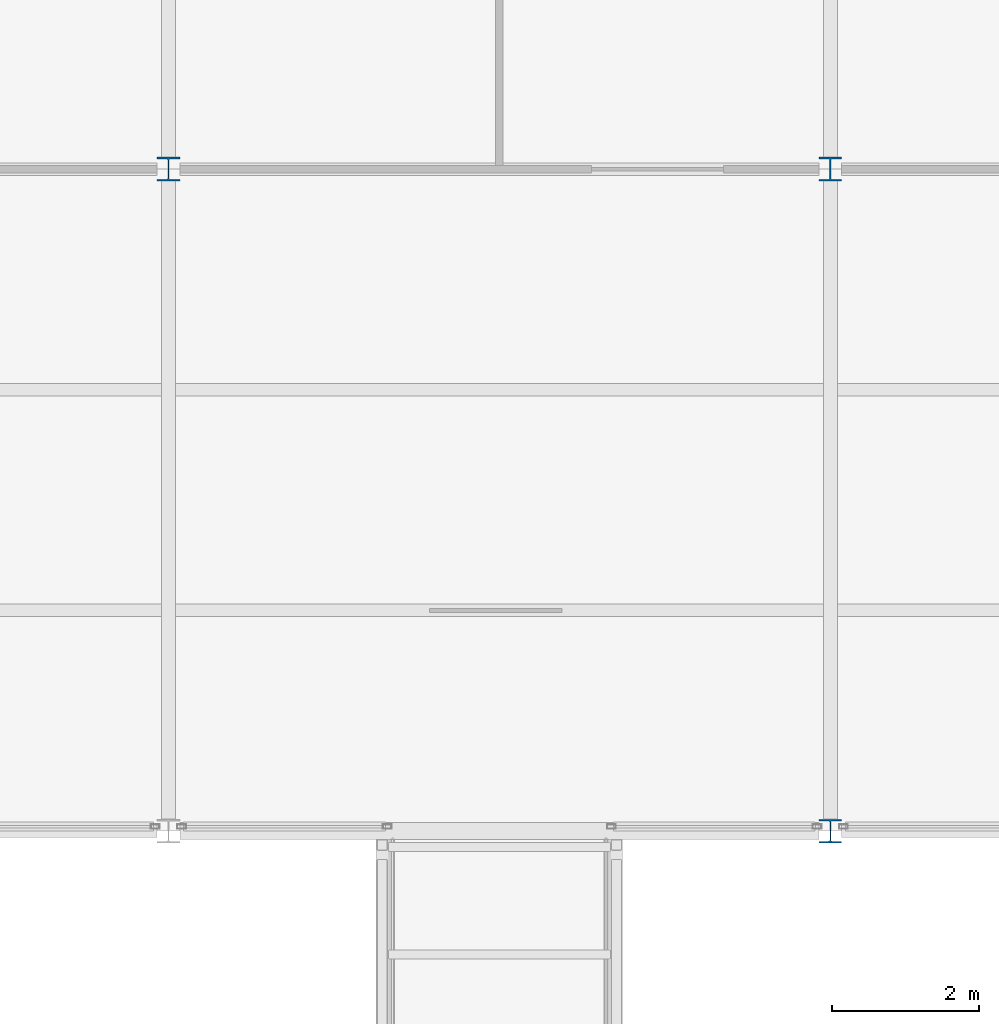
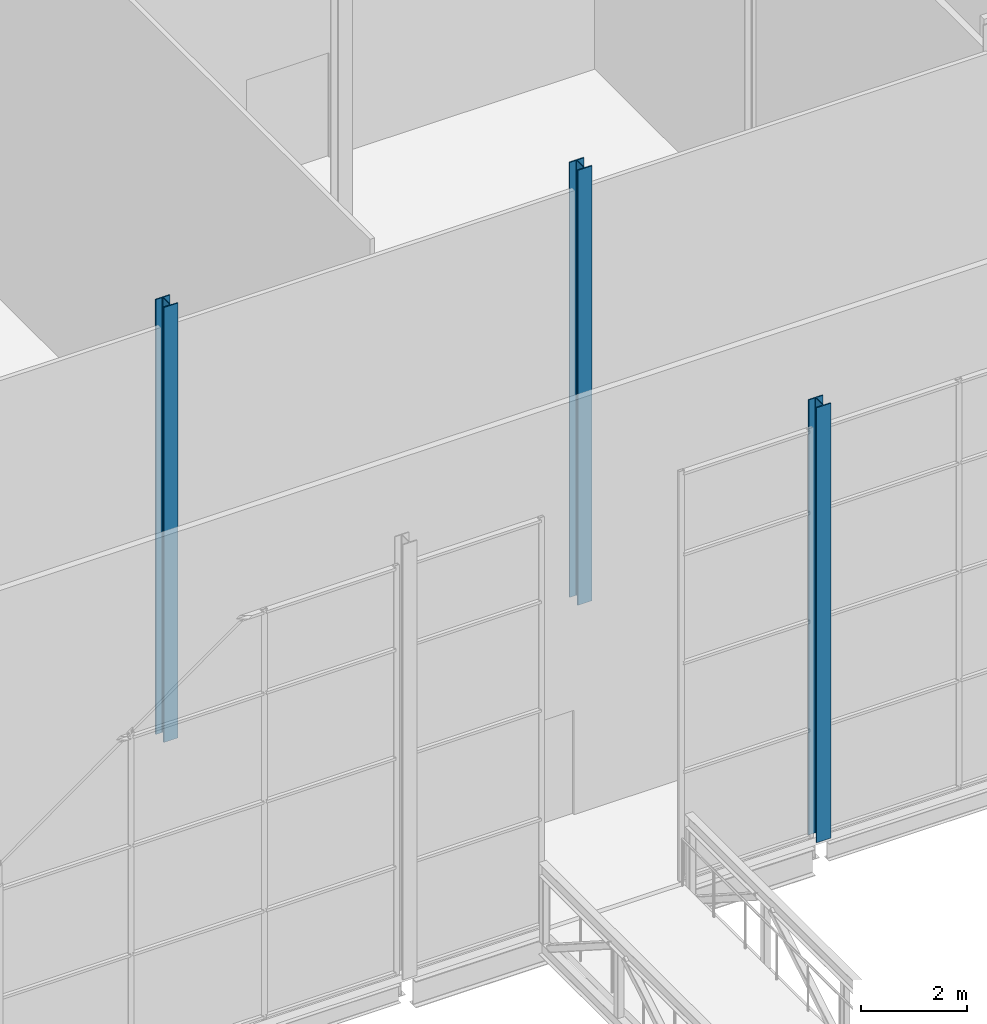
# One storey, part 5 of 111: 3 columns.
"""IFC4 building model written with IfcOpenShell, lengths in metres."""

from ifc_helpers import new_model, si_unit, direction, frame, origin, origin_2d, place, context, subcontext, project, spatial, i_section, extrude, material, material_profile, profile_set, type_object, element, save


model = new_model("IFC4")

# Units and contexts
model_context = context("Model", 3, precision=1e-05, world=origin(), true_north=direction((0.0, 1.0)))
body_context = subcontext(model_context, "Body", "Model", "MODEL_VIEW")
ifc_project = project(units=[si_unit("LENGTHUNIT", "METRE"), si_unit("AREAUNIT", "SQUARE_METRE"), si_unit("VOLUMEUNIT", "CUBIC_METRE"), si_unit("PLANEANGLEUNIT", "RADIAN"), si_unit("MASSUNIT", "GRAM", prefix="KILO")], contexts=[model_context])

# Site, building, storey
site_placement = place(None, origin())
site = spatial("IfcSite", under=ifc_project, at=site_placement, CompositionType="ELEMENT")
building_placement = place(site_placement, origin())
building = spatial("IfcBuilding", under=site, at=building_placement, Name="Shorebreak Coast Museum", CompositionType="ELEMENT")
storey_placement = place(building_placement, frame((0.0, 0.0, 16.0)))
storey = spatial("IfcBuildingStorey", under=building, at=storey_placement, Name="L03", CompositionType="ELEMENT", Elevation=16.0)

# Columns
ifc_material_1 = material(Name="Steel Grade 300", Category="steel")
ifc_material_profile_1 = material_profile(ifc_material_1, i_section(OverallWidth=0.30908203125, OverallDepth=0.320556640625, WebThickness=0.013916015625, FlangeThickness=0.021728515625, FilletRadius=0.0166015625, at=origin_2d()), Name="310UC137")
ifc_profile_set_1 = profile_set([ifc_material_profile_1], Name="Steel Grade 300")
column_type_1 = type_object("IfcColumnType", Name="Column 310UC137", PredefinedType="COLUMN", material=ifc_profile_set_1)
column_placement = place(storey_placement, frame((90.0, 81.0, 0.0), z_axis=(0.0, 0.0, 1.0), x_axis=(1.0, 0.0, 0.0)))
element("IfcColumn", 1, at=column_placement, inside=storey, type_object=column_type_1, Name="Column L03 11K", PredefinedType="COLUMN", context=body_context, shape_type="SweptSolid", body=[
    extrude(i_section(OverallWidth=0.30908203125, OverallDepth=0.320556640625, WebThickness=0.013916015625, FlangeThickness=0.021728515625, FilletRadius=0.0166015625, at=origin_2d()), origin(), (0.0, 0.0, 1.0), 10.0),
])
ifc_material_2 = material(Name="Steel Grade 300", Category="steel")
ifc_material_profile_2 = material_profile(ifc_material_2, i_section(OverallWidth=0.31103515625, OverallDepth=0.3271484375, WebThickness=0.015625, FlangeThickness=0.02490234375, FilletRadius=0.0166015625, at=origin_2d()), Name="310UC158")
ifc_profile_set_2 = profile_set([ifc_material_profile_2], Name="Steel Grade 300")
column_type_2 = type_object("IfcColumnType", Name="Column 310UC158", PredefinedType="COLUMN", material=ifc_profile_set_2)
for number, where, z_axis, x_axis, name in (
    (2, (81.0, 90.0, 0.0), (0.0, 0.0, 1.0), (1.0, 0.0, 0.0), "Column L03 10L"),
    (3, (90.0, 90.0, 0.0), (0.0, 0.0, 1.0), (1.0, 0.0, 0.0), "Column L03 11L"),
):
    element("IfcColumn", number, at=place(storey_placement, frame(where, z_axis=z_axis, x_axis=x_axis)), inside=storey, type_object=column_type_2, Name=name, PredefinedType="COLUMN", context=body_context, shape_type="SweptSolid", body=[
        extrude(i_section(OverallWidth=0.31103515625, OverallDepth=0.3271484375, WebThickness=0.015625, FlangeThickness=0.02490234375, FilletRadius=0.0166015625, at=origin_2d()), origin(), (0.0, 0.0, 1.0), 10.0),
    ])

save(model, "model.ifc")
